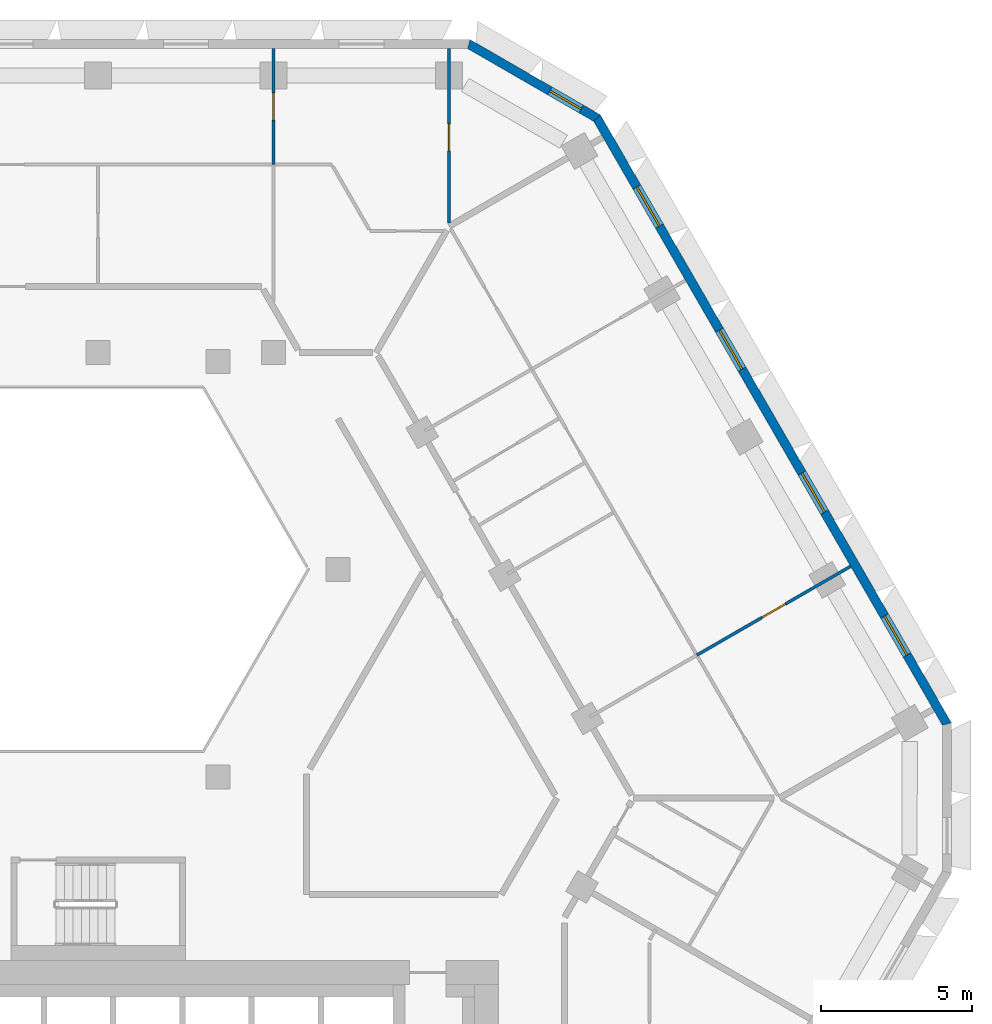
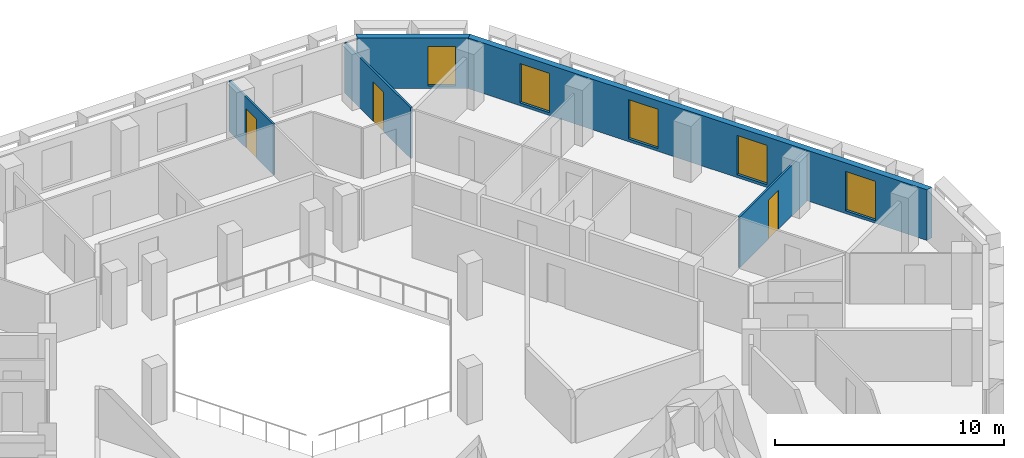
# One storey, part 9 of 15: 5 walls, 5 windows, 3 doors, 8 openings.
"""IFC4 building model written with IfcOpenShell, lengths in metres."""

from ifc_helpers import new_model, si_unit, direction, frame, frame_2d, origin, place, context, subcontext, project, spatial, polyline, rectangle, outline, extrude, material, layer, layer_set, type_object, element, fill, save


model = new_model("IFC4")

# Units and contexts
model_context = context("Model", 3, precision=1e-05, world=origin(), true_north=direction((0.0, 1.0)))
body_context = subcontext(model_context, "Body", "Model", "MODEL_VIEW")
ifc_project = project(units=[si_unit("LENGTHUNIT", "METRE"), si_unit("AREAUNIT", "SQUARE_METRE"), si_unit("VOLUMEUNIT", "CUBIC_METRE"), si_unit("PLANEANGLEUNIT", "RADIAN"), si_unit("MASSUNIT", "GRAM", prefix="KILO")], contexts=[model_context])

# Site, building, storey
site_placement = place(None, origin())
site = spatial("IfcSite", under=ifc_project, at=site_placement, CompositionType="ELEMENT")
building_placement = place(site_placement, origin())
building = spatial("IfcBuilding", under=site, at=building_placement, Name="Beryl Residences", CompositionType="ELEMENT")
storey_placement = place(building_placement, frame((0.0, 0.0, 135.60009765625)))
storey = spatial("IfcBuildingStorey", under=building, at=storey_placement, Name="L41", CompositionType="ELEMENT", Elevation=135.60009765625)

# Wall, openings, windows
ifc_material_1 = material(Name="Composite metal panel with mineral wool insulation")
ifc_layer_1 = layer(ifc_material_1, 0.300048828125)
ifc_layer_set_1 = layer_set([ifc_layer_1], Name="ES1 pale metal composite panel wall 300 mm")
wall_type_1 = type_object("IfcWallType", Name="ES1 pale metal composite panel wall 300 mm", PredefinedType="SOLIDWALL", material=ifc_layer_set_1)
wall_1_placement = place(storey_placement, frame((28.218017578125, 2.824951171875, 0.0), z_axis=(0.0, 0.0, 1.0), x_axis=(-0.500020536353, 0.866013546791, 0.0)))
wall_1 = element("IfcWall", 1, at=wall_1_placement, inside=storey, type_object=wall_type_1, Name="ES1 external wall L41 NE", PredefinedType="SOLIDWALL", context=body_context, shape_type="SweptSolid", body=[
    extrude(outline(polyline([(0.0, -0.14990234375), (23.3251953125, -0.14990234375), (23.244873046875, 0.14990234375), (0.080322265625, 0.14990234375), (0.0, -0.14990234375)])), origin(), (0.0, 0.0, 1.0), 2.699951171875),
])
opening_1_placement = place(wall_1_placement, frame((2.68505859375, 0.0, 0.14990234375)))
opening_1 = element("IfcOpeningElement", 2, at=opening_1_placement, cuts=wall_1, Name="Opening W1", PredefinedType="OPENING", context=body_context, shape_type="SweptSolid", body=[
    extrude(rectangle(XDim=1.5, YDim=2.10009765625, at=frame_2d((0.75, 1.050048828125))), frame((0.0, 0.159912109375, 0.0), z_axis=(0.0, -1.0, 0.0), x_axis=(1.0, 0.0, 0.0)), (0.0, 0.0, 1.0), 0.320068359375),
])
opening_2_placement = place(wall_1_placement, frame((8.169921875, 0.0, 0.14990234375)))
opening_2 = element("IfcOpeningElement", 3, at=opening_2_placement, cuts=wall_1, Name="Opening W1", PredefinedType="OPENING", context=body_context, shape_type="SweptSolid", body=[
    extrude(rectangle(XDim=1.5, YDim=2.10009765625, at=frame_2d((0.75, 1.050048828125))), frame((0.0, 0.159912109375, 0.0), z_axis=(0.0, -1.0, 0.0), x_axis=(1.0, 0.0, 0.0)), (0.0, 0.0, 1.0), 0.320068359375),
])
opening_3_placement = place(wall_1_placement, frame((13.655029296875, 0.0, 0.14990234375)))
opening_3 = element("IfcOpeningElement", 4, at=opening_3_placement, cuts=wall_1, Name="Opening W1", PredefinedType="OPENING", context=body_context, shape_type="SweptSolid", body=[
    extrude(rectangle(XDim=1.5, YDim=2.10009765625, at=frame_2d((0.75, 1.050048828125))), frame((0.0, 0.159912109375, 0.0), z_axis=(0.0, -1.0, 0.0), x_axis=(1.0, 0.0, 0.0)), (0.0, 0.0, 1.0), 0.320068359375),
])
opening_4_placement = place(wall_1_placement, frame((19.139892578125, 0.0, 0.14990234375)))
opening_4 = element("IfcOpeningElement", 5, at=opening_4_placement, cuts=wall_1, Name="Opening W1", PredefinedType="OPENING", context=body_context, shape_type="SweptSolid", body=[
    extrude(rectangle(XDim=1.5, YDim=2.10009765625, at=frame_2d((0.75, 1.050048828125))), frame((0.0, 0.159912109375, 0.0), z_axis=(0.0, -1.0, 0.0), x_axis=(1.0, 0.0, 0.0)), (0.0, 0.0, 1.0), 0.320068359375),
])
ifc_material_2 = material(Name="Aluminium and clear glass", Category="aluminium")
window_type_1 = type_object("IfcWindowType", Name="W1 cell window 1500 x 2100 mm", PartitioningType="SINGLE_PANEL", PredefinedType="WINDOW", material=ifc_material_2)
window_1_placement = place(opening_1_placement, origin())
window_1 = element("IfcWindow", 6, at=window_1_placement, inside=storey, type_object=window_type_1, Name="W1 window L41 NE 2", OverallHeight=2.10009765625, OverallWidth=1.5, PartitioningType="SINGLE_PANEL", PredefinedType="WINDOW", context=body_context, shape_type="SweptSolid", body=[
    extrude(rectangle(XDim=1.5, YDim=2.10009765625, at=frame_2d((0.75, 1.050048828125))), frame((0.0, 0.030029296875, 0.0), z_axis=(0.0, -1.0, 0.0), x_axis=(1.0, 0.0, 0.0)), (0.0, 0.0, 1.0), 0.06005859375),
])
fill(opening_1, window_1)
window_2_placement = place(opening_2_placement, origin())
window_2 = element("IfcWindow", 7, at=window_2_placement, inside=storey, type_object=window_type_1, Name="W1 window L41 NE 4", OverallHeight=2.10009765625, OverallWidth=1.5, PartitioningType="SINGLE_PANEL", PredefinedType="WINDOW", context=body_context, shape_type="SweptSolid", body=[
    extrude(rectangle(XDim=1.5, YDim=2.10009765625, at=frame_2d((0.75, 1.050048828125))), frame((0.0, 0.030029296875, 0.0), z_axis=(0.0, -1.0, 0.0), x_axis=(1.0, 0.0, 0.0)), (0.0, 0.0, 1.0), 0.06005859375),
])
fill(opening_2, window_2)
window_3_placement = place(opening_3_placement, origin())
window_3 = element("IfcWindow", 8, at=window_3_placement, inside=storey, type_object=window_type_1, Name="W1 window L41 NE 6", OverallHeight=2.10009765625, OverallWidth=1.5, PartitioningType="SINGLE_PANEL", PredefinedType="WINDOW", context=body_context, shape_type="SweptSolid", body=[
    extrude(rectangle(XDim=1.5, YDim=2.10009765625, at=frame_2d((0.75, 1.050048828125))), frame((0.0, 0.030029296875, 0.0), z_axis=(0.0, -1.0, 0.0), x_axis=(1.0, 0.0, 0.0)), (0.0, 0.0, 1.0), 0.06005859375),
])
fill(opening_3, window_3)
window_4_placement = place(opening_4_placement, origin())
window_4 = element("IfcWindow", 9, at=window_4_placement, inside=storey, type_object=window_type_1, Name="W1 window L41 NE 8", OverallHeight=2.10009765625, OverallWidth=1.5, PartitioningType="SINGLE_PANEL", PredefinedType="WINDOW", context=body_context, shape_type="SweptSolid", body=[
    extrude(rectangle(XDim=1.5, YDim=2.10009765625, at=frame_2d((0.75, 1.050048828125))), frame((0.0, 0.030029296875, 0.0), z_axis=(0.0, -1.0, 0.0), x_axis=(1.0, 0.0, 0.0)), (0.0, 0.0, 1.0), 0.06005859375),
])
fill(opening_4, window_4)

# Wall, opening, window
wall_2_placement = place(storey_placement, frame((16.610107421875, 22.969970703125, 0.0), z_axis=(0.0, 0.0, 1.0), x_axis=(-0.866022959057, 0.500004234368, 0.0)))
wall_2 = element("IfcWall", 10, at=wall_2_placement, inside=storey, type_object=wall_type_1, Name="ES1 external wall L41 NE-N", PredefinedType="SOLIDWALL", context=body_context, shape_type="SweptSolid", body=[
    extrude(outline(polyline([(0.0, -0.14990234375), (5.0, -0.14990234375), (4.919677734375, 0.14990234375), (0.080322265625, 0.14990234375), (0.0, -0.14990234375)])), origin(), (0.0, 0.0, 1.0), 2.699951171875),
])
opening_5_placement = place(wall_2_placement, frame((0.64990234375, 0.0, 0.14990234375)))
opening_5 = element("IfcOpeningElement", 11, at=opening_5_placement, cuts=wall_2, Name="Opening W2", PredefinedType="OPENING", context=body_context, shape_type="SweptSolid", body=[
    extrude(rectangle(XDim=1.199951171875, YDim=2.10009765625, at=frame_2d((0.60009765625, 1.050048828125))), frame((0.0, 0.159912109375, 0.0), z_axis=(0.0, -1.0, 0.0), x_axis=(1.0, 0.0, 0.0)), (0.0, 0.0, 1.0), 0.320068359375),
])
ifc_material_3 = material(Name="Aluminium and clear glass", Category="aluminium")
window_type_2 = type_object("IfcWindowType", Name="W2 chamfer window 1200 x 2100 mm", PartitioningType="SINGLE_PANEL", PredefinedType="WINDOW", material=ifc_material_3)
window_5_placement = place(opening_5_placement, origin())
window_5 = element("IfcWindow", 12, at=window_5_placement, inside=storey, type_object=window_type_2, Name="W2 window L41 NE-N 1", OverallHeight=2.10009765625, OverallWidth=1.199951171875, PartitioningType="SINGLE_PANEL", PredefinedType="WINDOW", context=body_context, shape_type="SweptSolid", body=[
    extrude(rectangle(XDim=1.199951171875, YDim=2.10009765625, at=frame_2d((0.60009765625, 1.050048828125))), frame((0.0, 0.030029296875, 0.0), z_axis=(0.0, -1.0, 0.0), x_axis=(1.0, 0.0, 0.0)), (0.0, 0.0, 1.0), 0.06005859375),
])
fill(opening_5, window_5)

# Wall, opening, door
ifc_material_4 = material(Name="Gypsum board partition on steel studs", Category="steel")
ifc_layer_2 = layer(ifc_material_4, 0.10009765625)
ifc_layer_set_2 = layer_set([ifc_layer_2], Name="PT1 partition 100 mm gypsum board on steel studs")
wall_type_2 = type_object("IfcWallType", Name="PT1 partition 100 mm gypsum board on steel studs", PredefinedType="PARTITIONING", material=ifc_layer_set_2)
wall_3_placement = place(storey_placement, frame((11.662109375, 19.513916015625, 0.0), z_axis=(0.0, 0.0, 1.0), x_axis=(0.0, 1.0, 0.0)))
wall_3 = element("IfcWall", 13, at=wall_3_placement, inside=storey, type_object=wall_type_2, Name="Wall PT1 L41 040", PredefinedType="PARTITIONING", context=body_context, shape_type="SweptSolid", body=[
    extrude(rectangle(XDim=5.7861328125, YDim=0.10009765625, at=frame_2d((2.89306640625, 0.0))), origin(), (0.0, 0.0, 1.0), 2.699951171875),
])
opening_6_placement = place(wall_3_placement, frame((2.385009765625, 0.0, 0.0)))
opening_6 = element("IfcOpeningElement", 14, at=opening_6_placement, cuts=wall_3, Name="Opening D1334", PredefinedType="OPENING", context=body_context, shape_type="SweptSolid", body=[
    extrude(rectangle(XDim=0.89990234375, YDim=2.10009765625, at=frame_2d((0.449951171875, 1.050048828125))), frame((0.0, 0.06005859375, 0.0), z_axis=(0.0, -1.0, 0.0), x_axis=(1.0, 0.0, 0.0)), (0.0, 0.0, 1.0), 0.1201171875),
])
ifc_material_5 = material(Name="Timber door leaf", Category="wood")
door_type = type_object("IfcDoorType", Name="D2 room door 900 x 2100 mm", OperationType="SINGLE_SWING_LEFT", PredefinedType="DOOR", material=ifc_material_5)
door_1_placement = place(opening_6_placement, origin())
door_1 = element("IfcDoor", 15, at=door_1_placement, inside=storey, type_object=door_type, Name="Door D1334 L41 001", OperationType="SINGLE_SWING_RIGHT", OverallHeight=2.10009765625, OverallWidth=0.89990234375, PredefinedType="DOOR", context=body_context, shape_type="SweptSolid", body=[
    extrude(rectangle(XDim=0.89990234375, YDim=2.10009765625, at=frame_2d((0.449951171875, 1.050048828125))), frame((0.0, 0.02490234375, 0.0), z_axis=(0.0, -1.0, 0.0), x_axis=(1.0, 0.0, 0.0)), (0.0, 0.0, 1.0), 0.050048828125),
])
fill(opening_6, door_1)

wall_4_placement = place(storey_placement, frame((19.889892578125, 5.14990234375, 0.0), z_axis=(0.0, 0.0, 1.0), x_axis=(0.865993310977, 0.500055582255, 0.0)))
wall_4 = element("IfcWall", 16, at=wall_4_placement, inside=storey, type_object=wall_type_2, Name="Wall PT1 L41 053", PredefinedType="PARTITIONING", context=body_context, shape_type="SweptSolid", body=[
    extrude(rectangle(XDim=5.899658203125, YDim=0.10009765625, at=frame_2d((2.94970703125, 0.0))), origin(), (0.0, 0.0, 1.0), 2.699951171875),
])
opening_7_placement = place(wall_4_placement, frame((2.5, 0.0, 0.0)))
opening_7 = element("IfcOpeningElement", 17, at=opening_7_placement, cuts=wall_4, Name="Opening D1323", PredefinedType="OPENING", context=body_context, shape_type="SweptSolid", body=[
    extrude(rectangle(XDim=0.89990234375, YDim=2.10009765625, at=frame_2d((0.449951171875, 1.050048828125))), frame((0.0, 0.06005859375, 0.0), z_axis=(0.0, -1.0, 0.0), x_axis=(1.0, 0.0, 0.0)), (0.0, 0.0, 1.0), 0.1201171875),
])
door_2_placement = place(opening_7_placement, origin())
door_2 = element("IfcDoor", 18, at=door_2_placement, inside=storey, type_object=door_type, Name="Door D1323 L41 001", OperationType="SINGLE_SWING_LEFT", OverallHeight=2.10009765625, OverallWidth=0.89990234375, PredefinedType="DOOR", context=body_context, shape_type="SweptSolid", body=[
    extrude(rectangle(XDim=0.89990234375, YDim=2.10009765625, at=frame_2d((0.449951171875, 1.050048828125))), frame((0.0, 0.02490234375, 0.0), z_axis=(0.0, -1.0, 0.0), x_axis=(1.0, 0.0, 0.0)), (0.0, 0.0, 1.0), 0.050048828125),
])
fill(opening_7, door_2)

wall_5_placement = place(storey_placement, frame((5.8310546875, 21.446044921875, 0.0), z_axis=(0.0, 0.0, 1.0), x_axis=(0.0, 1.0, 0.0)))
wall_5 = element("IfcWall", 19, at=wall_5_placement, inside=storey, type_object=wall_type_2, Name="Wall PT1 L41 055", PredefinedType="PARTITIONING", context=body_context, shape_type="SweptSolid", body=[
    extrude(rectangle(XDim=3.85400390625, YDim=0.10009765625, at=frame_2d((1.927001953125, 0.0))), origin(), (0.0, 0.0, 1.0), 2.699951171875),
])
opening_8_placement = place(wall_5_placement, frame((1.47705078125, 0.0, 0.0)))
opening_8 = element("IfcOpeningElement", 20, at=opening_8_placement, cuts=wall_5, Name="Opening D1332", PredefinedType="OPENING", context=body_context, shape_type="SweptSolid", body=[
    extrude(rectangle(XDim=0.89990234375, YDim=2.10009765625, at=frame_2d((0.449951171875, 1.050048828125))), frame((0.0, 0.06005859375, 0.0), z_axis=(0.0, -1.0, 0.0), x_axis=(1.0, 0.0, 0.0)), (0.0, 0.0, 1.0), 0.1201171875),
])
door_3_placement = place(opening_8_placement, origin())
door_3 = element("IfcDoor", 21, at=door_3_placement, inside=storey, type_object=door_type, Name="Door D1332 L41 001", OperationType="SINGLE_SWING_RIGHT", OverallHeight=2.10009765625, OverallWidth=0.89990234375, PredefinedType="DOOR", context=body_context, shape_type="SweptSolid", body=[
    extrude(rectangle(XDim=0.89990234375, YDim=2.10009765625, at=frame_2d((0.449951171875, 1.050048828125))), frame((0.0, 0.02490234375, 0.0), z_axis=(0.0, -1.0, 0.0), x_axis=(1.0, 0.0, 0.0)), (0.0, 0.0, 1.0), 0.050048828125),
])
fill(opening_8, door_3)

save(model, "model.ifc")
